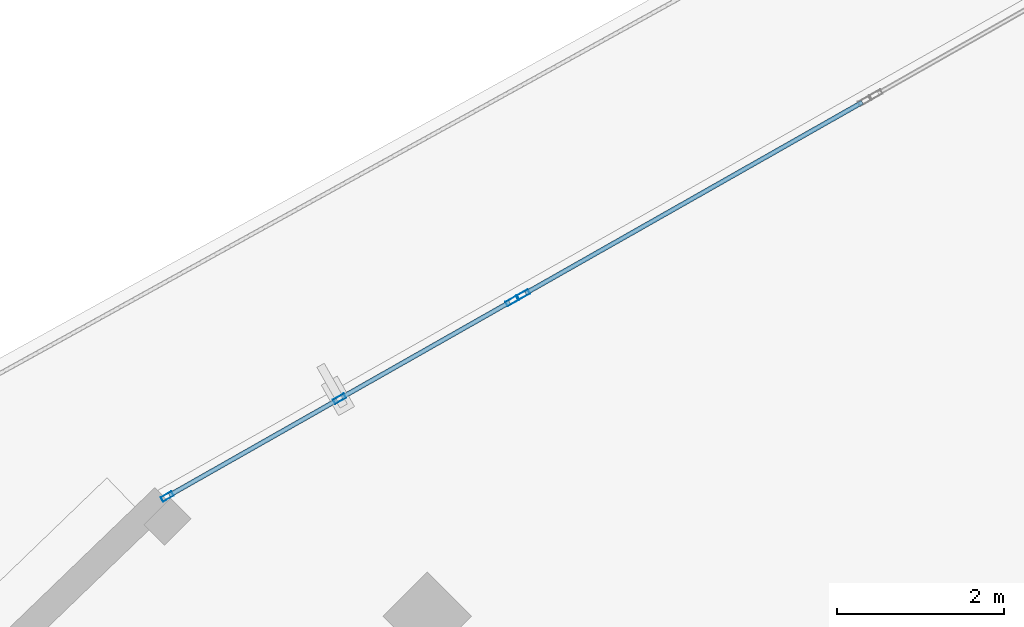
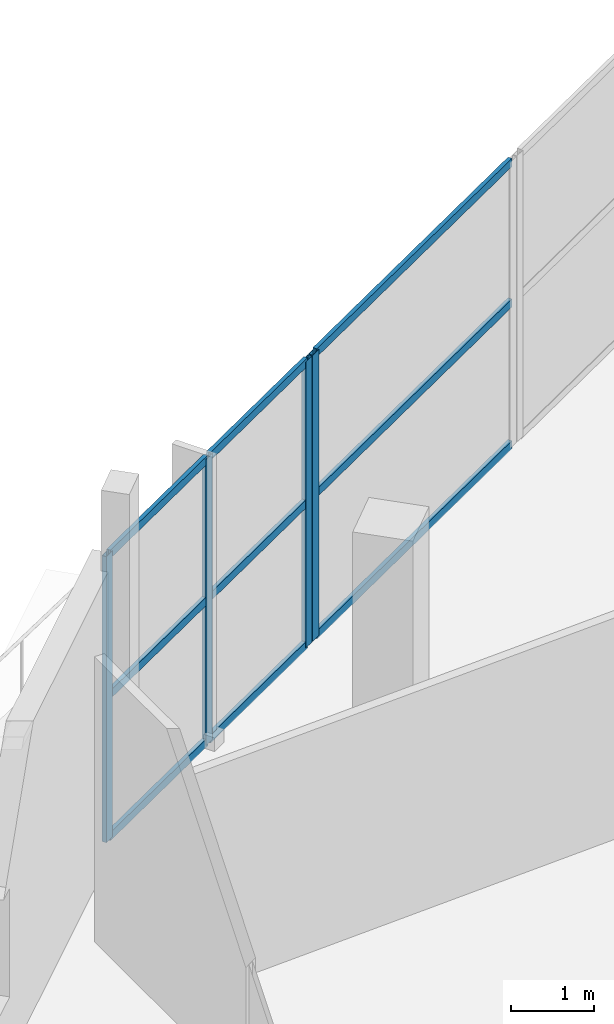
# One storey, part 44 of 123: 13 members, 2 elements without a shape of their own.
"""IFC4 building model written with IfcOpenShell, lengths in metres."""

from ifc_helpers import new_model, si_unit, direction, frame, origin, origin_2d, place, context, subcontext, project, spatial, hollow_rectangle, extrude, material, layer, layer_set, material_profile, profile_set, type_object, element, aggregate, save


model = new_model("IFC4")

# Units and contexts
model_context = context("Model", 3, precision=1e-05, world=origin(), true_north=direction((0.0, 1.0)))
body_context = subcontext(model_context, "Body", "Model", "MODEL_VIEW")
ifc_project = project(units=[si_unit("LENGTHUNIT", "METRE"), si_unit("AREAUNIT", "SQUARE_METRE"), si_unit("VOLUMEUNIT", "CUBIC_METRE"), si_unit("PLANEANGLEUNIT", "RADIAN"), si_unit("MASSUNIT", "GRAM", prefix="KILO")], contexts=[model_context])

# Site, building, storey
site_placement = place(None, origin())
site = spatial("IfcSite", under=ifc_project, at=site_placement, CompositionType="ELEMENT")
building_placement = place(site_placement, origin())
building = spatial("IfcBuilding", under=site, at=building_placement, Name="Kalgoora Escarpment Arena", CompositionType="ELEMENT")
storey_placement = place(building_placement, frame((0.0, 0.0, 9.89990234375)))
storey = spatial("IfcBuildingStorey", under=building, at=storey_placement, Name="L02", CompositionType="ELEMENT", Elevation=9.89990234375)

# Curtain wall, members
ifc_material_1 = material(Name=" Champagne anodised aluminium & double-glazed low-E", Category="aluminium")
ifc_layer_1 = layer(ifc_material_1, 0.157958984375)
ifc_layer_set_1 = layer_set([ifc_layer_1], Name="CW-UNIT-12")
curtain_wall_type_1 = type_object("IfcCurtainWallType", Name="CW-UNIT-12", PredefinedType="NOTDEFINED", material=ifc_layer_set_1)
curtain_wall_1_placement = place(storey_placement, origin())
curtain_wall_1 = element("IfcCurtainWall", 1, at=curtain_wall_1_placement, inside=storey, type_object=curtain_wall_type_1, Name="L02 unitised facade curtain wall 071", PredefinedType="NOTDEFINED")
ifc_material_2 = material(Name="Anodised aluminium 6063-T6", Category="aluminium")
ifc_material_profile_1 = material_profile(ifc_material_2, hollow_rectangle(XDim=0.06005859375, YDim=0.14990234375, WallThickness=0.00341796875, at=origin_2d()))
ifc_profile_set_1 = profile_set([ifc_material_profile_1], Name="Anodised aluminium 6063-T6")
member_type_1 = type_object("IfcMemberType", Name="MEM-CW-MULL-150", PredefinedType="MULLION", material=ifc_profile_set_1)
member_1_placement = place(storey_placement, frame((34.130859375, 107.29541015625, 0.02001953125), z_axis=(0.0, 0.0, 1.0), x_axis=(-0.49334386581, 0.86983436933, 0.0)))
member_1 = element("IfcMember", 2, at=member_1_placement, type_object=member_type_1, Name="CW-12 mullion 1", PredefinedType="MULLION", context=body_context, shape_type="SweptSolid", body=[
    extrude(hollow_rectangle(XDim=0.06005859375, YDim=0.14990234375, WallThickness=0.00341796875, at=origin_2d()), origin(), (0.0, 0.0, 1.0), 4.205078125),
])
member_2_placement = place(storey_placement, frame((36.194580078125, 108.4658203125, 0.02001953125), z_axis=(0.0, 0.0, 1.0), x_axis=(-0.49334386581, 0.86983436933, 0.0)))
member_2 = element("IfcMember", 3, at=member_2_placement, type_object=member_type_1, Name="CW-12 mullion 2", PredefinedType="MULLION", context=body_context, shape_type="SweptSolid", body=[
    extrude(hollow_rectangle(XDim=0.06005859375, YDim=0.14990234375, WallThickness=0.00341796875, at=origin_2d()), origin(), (0.0, 0.0, 1.0), 4.205078125),
])
member_3_placement = place(storey_placement, frame((38.25830078125, 109.63623046875, 0.02001953125), z_axis=(0.0, 0.0, 1.0), x_axis=(-0.49334386581, 0.86983436933, 0.0)))
member_3 = element("IfcMember", 4, at=member_3_placement, type_object=member_type_1, Name="CW-12 mullion 3", PredefinedType="MULLION", context=body_context, shape_type="SweptSolid", body=[
    extrude(hollow_rectangle(XDim=0.06005859375, YDim=0.14990234375, WallThickness=0.00341796875, at=origin_2d()), origin(), (0.0, 0.0, 1.0), 4.205078125),
])

# Curtain wall, member
ifc_material_3 = material(Name=" Champagne anodised aluminium & double-glazed low-E", Category="aluminium")
ifc_layer_2 = layer(ifc_material_3, 0.162109375)
ifc_layer_set_2 = layer_set([ifc_layer_2], Name="CW-UNIT-13")
curtain_wall_type_2 = type_object("IfcCurtainWallType", Name="CW-UNIT-13", PredefinedType="NOTDEFINED", material=ifc_layer_set_2)
curtain_wall_2_placement = place(storey_placement, origin())
curtain_wall_2 = element("IfcCurtainWall", 5, at=curtain_wall_2_placement, inside=storey, type_object=curtain_wall_type_2, Name="L02 unitised facade curtain wall 072", PredefinedType="NOTDEFINED")
member_4_placement = place(storey_placement, frame((38.3974609375, 109.715087890625, 0.02001953125), z_axis=(0.0, 0.0, 1.0), x_axis=(-0.493330368859, 0.869842024256, 0.0)))
member_4 = element("IfcMember", 6, at=member_4_placement, type_object=member_type_1, Name="CW-13 mullion 1", PredefinedType="MULLION", context=body_context, shape_type="SweptSolid", body=[
    extrude(hollow_rectangle(XDim=0.06005859375, YDim=0.14990234375, WallThickness=0.00341796875, at=origin_2d()), origin(), (0.0, 0.0, 1.0), 4.205078125),
])

# Member
ifc_material_4 = material(Name="Anodised aluminium 6063-T6", Category="aluminium")
ifc_material_profile_2 = material_profile(ifc_material_4, hollow_rectangle(XDim=0.054931640625, YDim=0.1201171875, WallThickness=0.003173828125, at=origin_2d()))
ifc_profile_set_2 = profile_set([ifc_material_profile_2], Name="Anodised aluminium 6063-T6")
member_type_2 = type_object("IfcMemberType", Name="MEM-CW-TRAN-120", PredefinedType="USERDEFINED", material=ifc_profile_set_2)
member_5_placement = place(storey_placement, frame((34.156982421875, 107.31005859375, 0.047607421875), z_axis=(0.869830416208, 0.493350835653, 0.0), x_axis=(-0.493350835653, 0.869830416208, 0.0)))
member_5 = element("IfcMember", 7, at=member_5_placement, type_object=member_type_2, Name="CW-12 transom 1.1", ObjectType="TRANSOM", PredefinedType="USERDEFINED", context=body_context, shape_type="SweptSolid", body=[
    extrude(hollow_rectangle(XDim=0.054931640625, YDim=0.1201171875, WallThickness=0.003173828125, at=origin_2d()), origin(), (0.0, 0.0, 1.0), 2.3125),
])

member_6_placement = place(storey_placement, frame((34.156982421875, 107.31005859375, 2.132568359375), z_axis=(0.869830416208, 0.493350835653, 0.0), x_axis=(-0.493350835653, 0.869830416208, 0.0)))
member_6 = element("IfcMember", 8, at=member_6_placement, type_object=member_type_2, Name="CW-12 transom 1.2", ObjectType="TRANSOM", PredefinedType="USERDEFINED", context=body_context, shape_type="SweptSolid", body=[
    extrude(hollow_rectangle(XDim=0.054931640625, YDim=0.1201171875, WallThickness=0.003173828125, at=origin_2d()), origin(), (0.0, 0.0, 1.0), 2.3125),
])

member_7_placement = place(storey_placement, frame((34.156982421875, 107.31005859375, 4.197509765625), z_axis=(0.869830416208, 0.493350835653, 0.0), x_axis=(-0.493350835653, 0.869830416208, 0.0)))
member_7 = element("IfcMember", 9, at=member_7_placement, type_object=member_type_2, Name="CW-12 transom 1.3", ObjectType="TRANSOM", PredefinedType="USERDEFINED", context=body_context, shape_type="SweptSolid", body=[
    extrude(hollow_rectangle(XDim=0.054931640625, YDim=0.1201171875, WallThickness=0.003173828125, at=origin_2d()), origin(), (0.0, 0.0, 1.0), 2.3125),
])

member_8_placement = place(storey_placement, frame((36.220703125, 108.480712890625, 0.047607421875), z_axis=(0.869830416208, 0.493350835653, 0.0), x_axis=(-0.493350835653, 0.869830416208, 0.0)))
member_8 = element("IfcMember", 10, at=member_8_placement, type_object=member_type_2, Name="CW-12 transom 2.1", ObjectType="TRANSOM", PredefinedType="USERDEFINED", context=body_context, shape_type="SweptSolid", body=[
    extrude(hollow_rectangle(XDim=0.054931640625, YDim=0.1201171875, WallThickness=0.003173828125, at=origin_2d()), origin(), (0.0, 0.0, 1.0), 2.3125),
])

member_9_placement = place(storey_placement, frame((36.220703125, 108.480712890625, 2.132568359375), z_axis=(0.869830416208, 0.493350835653, 0.0), x_axis=(-0.493350835653, 0.869830416208, 0.0)))
member_9 = element("IfcMember", 11, at=member_9_placement, type_object=member_type_2, Name="CW-12 transom 2.2", ObjectType="TRANSOM", PredefinedType="USERDEFINED", context=body_context, shape_type="SweptSolid", body=[
    extrude(hollow_rectangle(XDim=0.054931640625, YDim=0.1201171875, WallThickness=0.003173828125, at=origin_2d()), origin(), (0.0, 0.0, 1.0), 2.3125),
])

member_10_placement = place(storey_placement, frame((36.220703125, 108.480712890625, 4.197509765625), z_axis=(0.869830416208, 0.493350835653, 0.0), x_axis=(-0.493350835653, 0.869830416208, 0.0)))
member_10 = element("IfcMember", 12, at=member_10_placement, type_object=member_type_2, Name="CW-12 transom 2.3", ObjectType="TRANSOM", PredefinedType="USERDEFINED", context=body_context, shape_type="SweptSolid", body=[
    extrude(hollow_rectangle(XDim=0.054931640625, YDim=0.1201171875, WallThickness=0.003173828125, at=origin_2d()), origin(), (0.0, 0.0, 1.0), 2.3125),
])

aggregate(curtain_wall_1, [member_1, member_2, member_3, member_5, member_6, member_7, member_8, member_9, member_10])

member_11_placement = place(storey_placement, frame((38.423583984375, 109.72998046875, 0.047607421875), z_axis=(0.869852694163, 0.493311555164, 0.0), x_axis=(-0.493311555164, 0.869852694163, 0.0)))
member_11 = element("IfcMember", 13, at=member_11_placement, type_object=member_type_2, Name="CW-13 transom 1.1", ObjectType="TRANSOM", PredefinedType="USERDEFINED", context=body_context, shape_type="SweptSolid", body=[
    extrude(hollow_rectangle(XDim=0.054931640625, YDim=0.1201171875, WallThickness=0.003173828125, at=origin_2d()), origin(), (0.0, 0.0, 1.0), 4.63525390625),
])

member_12_placement = place(storey_placement, frame((38.423583984375, 109.72998046875, 2.132568359375), z_axis=(0.869852694163, 0.493311555164, 0.0), x_axis=(-0.493311555164, 0.869852694163, 0.0)))
member_12 = element("IfcMember", 14, at=member_12_placement, type_object=member_type_2, Name="CW-13 transom 1.2", ObjectType="TRANSOM", PredefinedType="USERDEFINED", context=body_context, shape_type="SweptSolid", body=[
    extrude(hollow_rectangle(XDim=0.054931640625, YDim=0.1201171875, WallThickness=0.003173828125, at=origin_2d()), origin(), (0.0, 0.0, 1.0), 4.63525390625),
])

member_13_placement = place(storey_placement, frame((38.423583984375, 109.72998046875, 4.197509765625), z_axis=(0.869852694163, 0.493311555164, 0.0), x_axis=(-0.493311555164, 0.869852694163, 0.0)))
member_13 = element("IfcMember", 15, at=member_13_placement, type_object=member_type_2, Name="CW-13 transom 1.3", ObjectType="TRANSOM", PredefinedType="USERDEFINED", context=body_context, shape_type="SweptSolid", body=[
    extrude(hollow_rectangle(XDim=0.054931640625, YDim=0.1201171875, WallThickness=0.003173828125, at=origin_2d()), origin(), (0.0, 0.0, 1.0), 4.63525390625),
])

aggregate(curtain_wall_2, [member_4, member_11, member_12, member_13])

save(model, "model.ifc")
